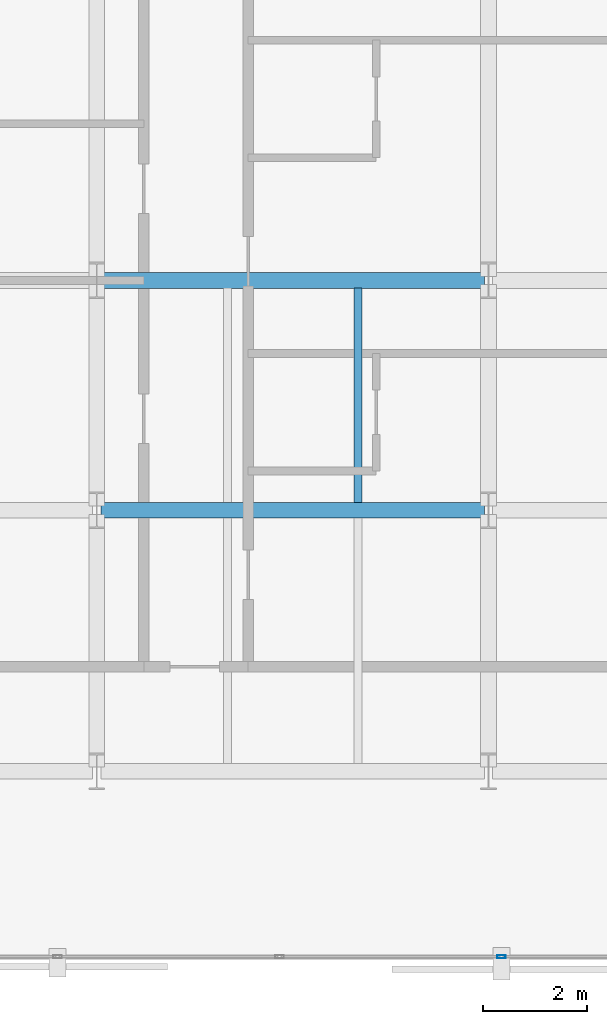
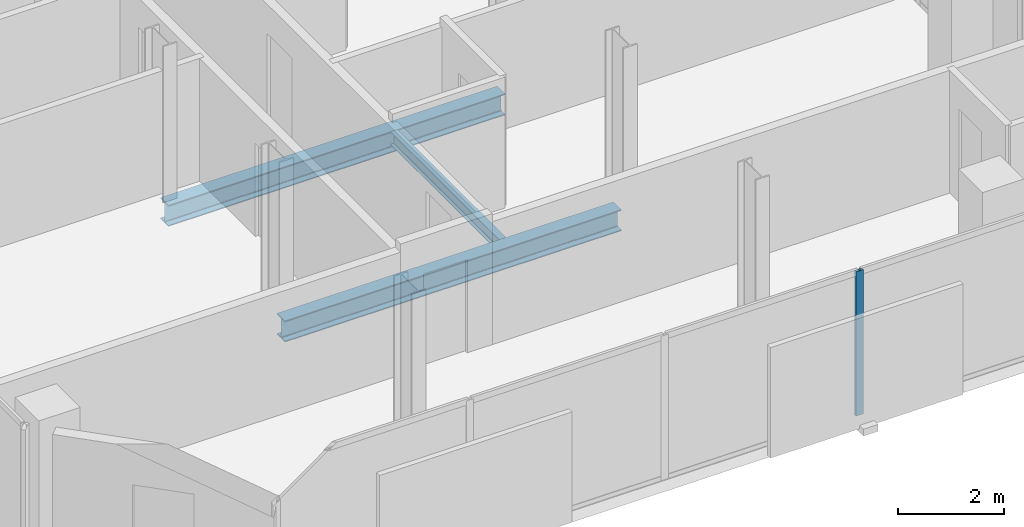
# One storey, part 6 of 34: 3 beams, 1 member, 1 element without a shape of its own.
"""IFC4 building model written with IfcOpenShell, lengths in metres."""

from ifc_helpers import new_model, si_unit, direction, frame, origin, origin_2d, place, context, subcontext, project, spatial, hollow_rectangle, i_section, extrude, material, layer, layer_set, material_profile, profile_set, type_object, element, aggregate, save


model = new_model("IFC4")

# Units and contexts
model_context = context("Model", 3, precision=1e-05, world=origin(), true_north=direction((0.0, 1.0)))
body_context = subcontext(model_context, "Body", "Model", "MODEL_VIEW")
ifc_project = project(units=[si_unit("LENGTHUNIT", "METRE"), si_unit("AREAUNIT", "SQUARE_METRE"), si_unit("VOLUMEUNIT", "CUBIC_METRE"), si_unit("PLANEANGLEUNIT", "RADIAN"), si_unit("MASSUNIT", "GRAM", prefix="KILO")], contexts=[model_context])

# Site, building, storey
site_placement = place(None, origin())
site = spatial("IfcSite", under=ifc_project, at=site_placement, CompositionType="ELEMENT")
building_placement = place(site_placement, origin())
building = spatial("IfcBuilding", under=site, at=building_placement, Name="Catumbela Crestline Tower", CompositionType="ELEMENT")
storey_placement = place(building_placement, frame((0.0, 0.0, 97.2)))
storey = spatial("IfcBuildingStorey", under=building, at=storey_placement, Name="L24", CompositionType="ELEMENT", Elevation=97.2)

# Beams
ifc_material_1 = material(Name="Structural steel S355J2", Category="steel")
ifc_material_profile_1 = material_profile(ifc_material_1, i_section(OverallWidth=0.3, OverallDepth=0.49, WebThickness=0.012, FlangeThickness=0.023, FilletRadius=0.027, at=origin_2d()), Name="HEA 500")
ifc_profile_set_1 = profile_set([ifc_material_profile_1], Name="Structural steel S355J2")
beam_type_1 = type_object("IfcBeamType", Name="BG-HEA500", PredefinedType="BEAM", material=ifc_profile_set_1)
for number, where, z_axis, x_axis, name in (
    (1, (8.58, 13.6, -0.505), (1.0, 0.0, 0.0), (0.0, 1.0, 0.0), "L24 Beam BM-L24-WEW47"),
    (2, (8.58, 18.0, -0.505), (1.0, 0.0, 0.0), (0.0, 1.0, 0.0), "L24 Beam BM-L24-WEW50"),
):
    element("IfcBeam", number, at=place(storey_placement, frame(where, z_axis=z_axis, x_axis=x_axis)), inside=storey, type_object=beam_type_1, Name=name, PredefinedType="BEAM", context=body_context, shape_type="SweptSolid", body=[
        extrude(i_section(OverallWidth=0.3, OverallDepth=0.49, WebThickness=0.012, FlangeThickness=0.023, FilletRadius=0.027, at=origin_2d()), origin(), (0.0, 0.0, 1.0), 7.34),
    ])
ifc_material_profile_2 = material_profile(ifc_material_1, i_section(OverallWidth=0.15, OverallDepth=0.3, WebThickness=0.0071, FlangeThickness=0.0107, FilletRadius=0.015, at=origin_2d()), Name="IPE 300")
ifc_profile_set_2 = profile_set([ifc_material_profile_2], Name="Structural steel S355J2")
beam_type_2 = type_object("IfcBeamType", Name="BJ-IPE300", PredefinedType="JOIST", material=ifc_profile_set_2)
beam_placement = place(storey_placement, frame((13.5, 13.747, -0.41), z_axis=(0.0, 1.0, 0.0), x_axis=(-1.0, 0.0, 0.0)))
element("IfcBeam", 3, at=beam_placement, inside=storey, type_object=beam_type_2, Name="L24 Joist JS-L24-WG72", PredefinedType="JOIST", context=body_context, shape_type="SweptSolid", body=[
    extrude(i_section(OverallWidth=0.15, OverallDepth=0.3, WebThickness=0.0071, FlangeThickness=0.0107, FilletRadius=0.015, at=origin_2d()), origin(), (0.0, 0.0, 1.0), 4.106),
])

# Curtain wall, member
ifc_material_2 = material(Name="Aluminium alloy AW-6060-T66", Category="aluminium")
ifc_layer = layer(ifc_material_2, 0.18, Name="Aluminium alloy AW-6060-T66")
ifc_layer_set = layer_set([ifc_layer], Name="Aluminium alloy AW-6060-T66")
curtain_wall_type = type_object("IfcCurtainWallType", Name="CWU-Z2", PredefinedType="USERDEFINED", material=ifc_layer_set)
curtain_wall_placement = place(storey_placement, origin())
curtain_wall = element("IfcCurtainWall", 4, at=curtain_wall_placement, inside=storey, type_object=curtain_wall_type, Name="L24 Unitised Curtain Wall CW-L24-E0S1", ObjectType="UNITISED", PredefinedType="USERDEFINED")
ifc_material_profile_3 = material_profile(ifc_material_2, hollow_rectangle(XDim=0.06, YDim=0.16, WallThickness=0.004, at=origin_2d()), Name="ALU 160x60x4")
ifc_profile_set_3 = profile_set([ifc_material_profile_3], Name="Aluminium alloy AW-6060-T66")
member_type = type_object("IfcMemberType", Name="MUL-160X60", PredefinedType="MULLION", material=ifc_profile_set_3)
member_placement = place(storey_placement, frame((16.25, 5.05, 0.0), z_axis=(0.0, 0.0, 1.0), x_axis=(0.0, 1.0, 0.0)))
member = element("IfcMember", 5, at=member_placement, type_object=member_type, Name="CWU-Z2 mullion 4", PredefinedType="MULLION", context=body_context, shape_type="SweptSolid", body=[
    extrude(hollow_rectangle(XDim=0.06, YDim=0.16, WallThickness=0.004, at=origin_2d()), origin(), (0.0, 0.0, 1.0), 3.33),
])
aggregate(curtain_wall, [member])

save(model, "model.ifc")
